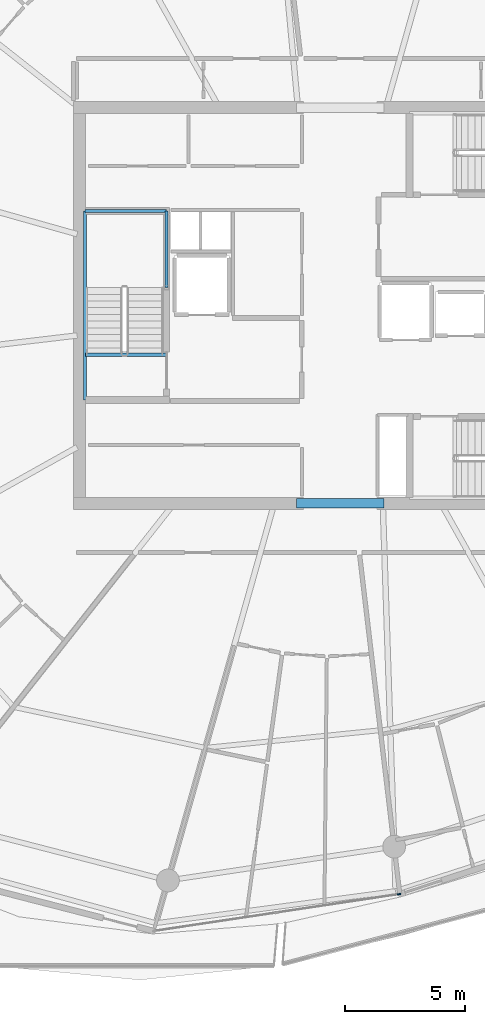
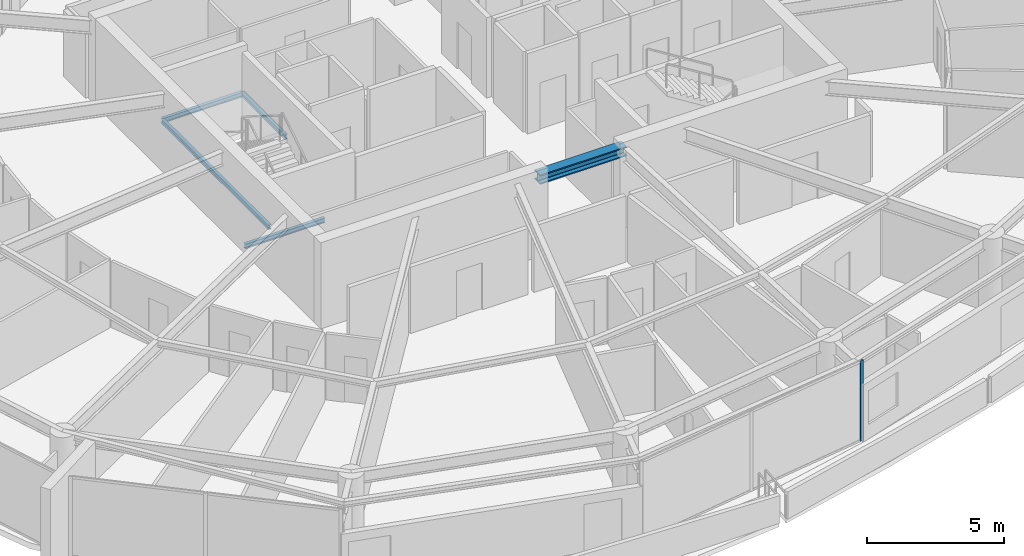
# One storey, part 9 of 30: 5 beams, 1 member, 1 element without a shape of its own.
"""IFC4 building model written with IfcOpenShell, lengths in metres."""

import ifcopenshell
import ifcopenshell.guid

model = None  # the IFC model being written
_history = None  # IfcOwnerHistory: only IFC2X3 demands one
_inside = {}  # id of a spatial element -> (the spatial element, [elements in it])
_under = {}  # id of a project, library or spatial element -> (it, [spatial elements below it])
_declared = {}  # id of a project -> (the project, [libraries it declares])
_typed = {}  # id of a type object -> (the type object, [elements of that type])
_made_of = {}  # id of a material, layer set ... -> (it, [elements and type objects made of it])


def new_model(schema):
    """Start an empty IFC model of exactly this schema.

    Asked for "IFC4X3", IfcOpenShell would pick the latest addendum, in which some entities
    have other attributes; the version numbers below select the first issue.
    IFC2X3 requires an IfcOwnerHistory on every rooted entity: one is made here for all.
    """
    global model, _history
    if schema == "IFC4X3":
        model = ifcopenshell.file(schema_version=(4, 3, 0, 0))
    else:
        model = ifcopenshell.file(schema=schema)
    _inside.clear()
    _under.clear()
    _declared.clear()
    _typed.clear()
    _made_of.clear()
    _history = None
    if model.schema == "IFC2X3":
        org = make("IfcOrganization", Name="unknown")
        user = make(
            "IfcPersonAndOrganization",
            ThePerson=make("IfcPerson", FamilyName="unknown"),
            TheOrganization=org,
        )
        app = make(
            "IfcApplication",
            ApplicationDeveloper=org,
            Version="unknown",
            ApplicationFullName="unknown",
            ApplicationIdentifier="unknown",
        )
        _history = make(
            "IfcOwnerHistory",
            OwningUser=user,
            OwningApplication=app,
            ChangeAction="ADDED",
            CreationDate=0,
        )
    return model


def make(cls, **values):
    """One entity of the class cls with the attributes given. An attribute that is None is left unset."""
    return model.create_entity(
        cls, **{name: value for name, value in values.items() if value is not None}
    )


def rooted(cls, **values):
    """An entity with a GlobalId (a new one), such as an element, a storey or a relation."""
    return make(cls, GlobalId=ifcopenshell.guid.new(), OwnerHistory=_history, **values)


def si_unit(unit_type, name, prefix=None):
    """IfcSIUnit, for example si_unit("LENGTHUNIT", "METRE", prefix="MILLI")."""
    return make("IfcSIUnit", UnitType=unit_type, Prefix=prefix, Name=name)


def assignment(units):
    """IfcUnitAssignment: the units of a project."""
    return None if units is None else make("IfcUnitAssignment", Units=units)


def point(xyz):
    """IfcCartesianPoint."""
    return None if xyz is None else make("IfcCartesianPoint", Coordinates=xyz)


def direction(xyz):
    """IfcDirection."""
    return None if xyz is None else make("IfcDirection", DirectionRatios=xyz)


def frame(location, z_axis=None, x_axis=None):
    """IfcAxis2Placement3D, a coordinate frame: its origin and axes. An axis left out is left unset."""
    return make(
        "IfcAxis2Placement3D",
        Location=point(location),
        Axis=direction(z_axis),
        RefDirection=direction(x_axis),
    )


def frame_2d(location, x_axis=None):
    """IfcAxis2Placement2D, a coordinate frame in the plane: its origin and x axis."""
    return make(
        "IfcAxis2Placement2D", Location=point(location), RefDirection=direction(x_axis)
    )


def origin():
    """The frame at (0, 0, 0) with its axes left unset."""
    return frame((0.0, 0.0, 0.0))


def origin_2d():
    """The frame at (0, 0) in the plane with its x axis left unset."""
    return frame_2d((0.0, 0.0))


def place(relative_to, where):
    """IfcLocalPlacement: puts the frame where relative to a parent placement (None: the world)."""
    return make(
        "IfcLocalPlacement", PlacementRelTo=relative_to, RelativePlacement=where
    )


def context(
    kind, dimensions, precision=None, world=None, true_north=None, identifier=None
):
    """IfcGeometricRepresentationContext, for example the 3D "Model" context."""
    return make(
        "IfcGeometricRepresentationContext",
        ContextIdentifier=identifier,
        ContextType=kind,
        CoordinateSpaceDimension=dimensions,
        Precision=precision,
        WorldCoordinateSystem=world,
        TrueNorth=true_north,
    )


def subcontext(parent, identifier, kind, view, scale=None):
    """IfcGeometricRepresentationSubContext, for example "Body" below "Model"."""
    return make(
        "IfcGeometricRepresentationSubContext",
        ContextIdentifier=identifier,
        ContextType=kind,
        ParentContext=parent,
        TargetScale=scale,
        TargetView=view,
    )


def project(units=None, contexts=None):
    """IfcProject with its units and contexts."""
    return rooted(
        "IfcProject",
        Name="project",
        RepresentationContexts=contexts,
        UnitsInContext=assignment(units),
    )


def spatial(cls, under=None, at=None, **own):
    """A site, building, storey or space (cls), placed at a placement, below another one or the project."""
    s = rooted(cls, ObjectPlacement=at, **own)
    if under is not None:
        _under.setdefault(under.id(), (under, []))[1].append(s)
    return s


def profile(cls, at=None, kind="AREA", **sizes):
    """A parametric profile (cls). Its sizes go by their IFC names, for example OverallWidth=200.0."""
    return make(cls, ProfileType=kind, Position=at, **sizes)


def rectangle(**sizes):
    """IfcRectangleProfileDef."""
    return profile("IfcRectangleProfileDef", **sizes)


def i_section(**sizes):
    """IfcIShapeProfileDef."""
    return profile("IfcIShapeProfileDef", **sizes)


def extrude(swept, where, along, depth):
    """IfcExtrudedAreaSolid: the profile swept, set in the frame where, extruded along a direction by depth."""
    return make(
        "IfcExtrudedAreaSolid",
        SweptArea=swept,
        Position=where,
        ExtrudedDirection=direction(along),
        Depth=depth,
    )


def shape(context_of_items, identifier, shape_type, items):
    """IfcShapeRepresentation: the items that make up one representation, for example the "Body"."""
    return make(
        "IfcShapeRepresentation",
        ContextOfItems=context_of_items,
        RepresentationIdentifier=identifier,
        RepresentationType=shape_type,
        Items=items,
    )


def material(Name=None, Category=None):
    """IfcMaterial."""
    return make("IfcMaterial", Name=Name, Category=Category)


def layer(
    of_material, thickness, ventilated=None, Name=None, Category=None, Priority=None
):
    """IfcMaterialLayer: one layer of a wall or slab, of a material (None: an air gap)."""
    return make(
        "IfcMaterialLayer",
        Material=of_material,
        LayerThickness=thickness,
        IsVentilated=ventilated,
        Name=Name,
        Category=Category,
        Priority=Priority,
    )


def layer_set(layers, Name=None):
    """IfcMaterialLayerSet."""
    return make("IfcMaterialLayerSet", MaterialLayers=layers, LayerSetName=Name)


def material_profile(
    of_material, cross_section, Name=None, Category=None, Priority=None
):
    """IfcMaterialProfile: a cross section and its material."""
    return make(
        "IfcMaterialProfile",
        Name=Name,
        Material=of_material,
        Profile=cross_section,
        Priority=Priority,
        Category=Category,
    )


def profile_set(profiles, Name=None, composite=None):
    """IfcMaterialProfileSet."""
    return make(
        "IfcMaterialProfileSet",
        Name=Name,
        MaterialProfiles=profiles,
        CompositeProfile=composite,
    )


def made_of(thing, what):
    """Note that an element or type object is made of a material, layer set ...; save() writes the relation."""
    if what is not None:
        _made_of.setdefault(what.id(), (what, []))[1].append(thing)
    return thing


def type_object(cls, material=None, **own):
    """A type object (cls), such as IfcWallType, which elements share."""
    return made_of(rooted(cls, **own), material)


def element(
    cls,
    number,
    at=None,
    inside=None,
    cuts=None,
    type_object=None,
    material=None,
    context=None,
    identifier="Body",
    shape_type=None,
    held_by="IfcProductDefinitionShape",
    body=None,
    shapes=None,
    **own,
):
    """One element of the class cls, such as IfcWall. Its Tag is "e" and its number.

    at: its placement. inside: the storey or other place that contains it. cuts: it is an
    opening in that element (IfcRelVoidsElement). A single representation is given by context,
    identifier, shape_type and body (its items); several are given by shapes. held_by: the class
    of the entity that holds the representations. save() writes the other relations.
    """
    e = rooted(cls, Tag="e%d" % number, ObjectPlacement=at, **own)
    if body is not None:
        shapes = [shape(context, identifier, shape_type, body)]
    if shapes is not None:
        e.Representation = make(held_by, Representations=shapes)
    if inside is not None:
        _inside.setdefault(inside.id(), (inside, []))[1].append(e)
    if cuts is not None:
        rooted(
            "IfcRelVoidsElement", RelatingBuildingElement=cuts, RelatedOpeningElement=e
        )
    if type_object is not None:
        _typed.setdefault(type_object.id(), (type_object, []))[1].append(e)
    return made_of(e, material)


def aggregate(whole, parts):
    """IfcRelAggregates: a whole, such as a stair, and the parts it consists of."""
    return rooted("IfcRelAggregates", RelatingObject=whole, RelatedObjects=parts)


def save(model, path):
    """Write the relations noted so far, then the file.

    IfcRelAggregates (storeys below a building ...), IfcRelContainedInSpatialStructure (elements
    in a storey), IfcRelDefinesByType, IfcRelAssociatesMaterial and IfcRelDeclares: one each for
    every whole, place, type object, material and project.
    """
    for whole, parts in _under.values():
        aggregate(whole, parts)
    for where, things in _inside.values():
        rooted(
            "IfcRelContainedInSpatialStructure",
            RelatedElements=things,
            RelatingStructure=where,
        )
    for kind, things in _typed.values():
        rooted("IfcRelDefinesByType", RelatedObjects=things, RelatingType=kind)
    for what, things in _made_of.values():
        rooted("IfcRelAssociatesMaterial", RelatedObjects=things, RelatingMaterial=what)
    for by, libraries in _declared.values():
        rooted("IfcRelDeclares", RelatingContext=by, RelatedDefinitions=libraries)
    model.write(path)


model = new_model("IFC4")

# Units and contexts
model_context = context("Model", 3, precision=1e-05, world=origin(), true_north=direction((0.0, 1.0)))
body_context = subcontext(model_context, "Body", "Model", "MODEL_VIEW")
ifc_project = project(units=[si_unit("LENGTHUNIT", "METRE"), si_unit("AREAUNIT", "SQUARE_METRE"), si_unit("VOLUMEUNIT", "CUBIC_METRE"), si_unit("PLANEANGLEUNIT", "RADIAN"), si_unit("MASSUNIT", "GRAM", prefix="KILO")], contexts=[model_context])

# Site, building, storey
site_placement = place(None, origin())
site = spatial("IfcSite", under=ifc_project, at=site_placement, CompositionType="ELEMENT")
building_placement = place(site_placement, origin())
building = spatial("IfcBuilding", under=site, at=building_placement, Name="Kazma Halo Residences", CompositionType="ELEMENT")
storey_placement = place(building_placement, frame((0.0, 0.0, 279.050048828125)))
storey = spatial("IfcBuildingStorey", under=building, at=storey_placement, Name="L70", CompositionType="ELEMENT", Elevation=279.050048828125)

# Beams
ifc_material_1 = material(Name="Steel S355", Category="steel")
ifc_material_profile_1 = material_profile(ifc_material_1, i_section(OverallWidth=0.408935546875, OverallDepth=0.425048828125, WebThickness=0.03271484375, FlangeThickness=0.052490234375, FilletRadius=0.02001953125, at=origin_2d()), Name="W360x421")
ifc_profile_set_1 = profile_set([ifc_material_profile_1], Name="Steel S355")
beam_type_1 = type_object("IfcBeamType", Name="BM-CORE-W360H", PredefinedType="BEAM", material=ifc_profile_set_1)
beam_1_placement = place(storey_placement, frame((46.60009765625, 33.75, 3.37744140625), z_axis=(1.0, 0.0, 0.0), x_axis=(0.0, 1.0, 0.0)))
element("IfcBeam", 1, at=beam_1_placement, inside=storey, type_object=beam_type_1, Name="L70 core coupling beam S", PredefinedType="BEAM", context=body_context, shape_type="SweptSolid", body=[
    extrude(i_section(OverallWidth=0.408935546875, OverallDepth=0.425048828125, WebThickness=0.03271484375, FlangeThickness=0.052490234375, FilletRadius=0.02001953125, at=origin_2d()), origin(), (0.0, 0.0, 1.0), 3.64990234375),
])
ifc_material_profile_2 = material_profile(ifc_material_1, i_section(OverallWidth=0.133056640625, OverallDepth=0.20703125, WebThickness=0.005859375, FlangeThickness=0.00830078125, FilletRadius=0.010009765625, at=origin_2d()), Name="W200x26.6")
ifc_profile_set_2 = profile_set([ifc_material_profile_2], Name="Steel S355")
beam_type_2 = type_object("IfcBeamType", Name="BM-TRIM-W200", PredefinedType="BEAM", material=ifc_profile_set_2)
beam_2_placement = place(storey_placement, frame((37.800048828125, 39.949951171875, -0.3701171875), z_axis=(1.0, 0.0, 0.0), x_axis=(0.0, 1.0, 0.0)))
element("IfcBeam", 2, at=beam_2_placement, inside=storey, type_object=beam_type_2, Name="L70 ST-01 floor landing support beam", PredefinedType="BEAM", context=body_context, shape_type="SweptSolid", body=[
    extrude(i_section(OverallWidth=0.133056640625, OverallDepth=0.20703125, WebThickness=0.005859375, FlangeThickness=0.00830078125, FilletRadius=0.010009765625, at=origin_2d()), origin(), (0.0, 0.0, 1.0), 3.3798828125),
])
beam_3_placement = place(storey_placement, frame((37.780029296875, 38.06005859375, 1.619873046875), z_axis=(0.0, 1.0, 0.0), x_axis=(-1.0, 0.0, 0.0)))
element("IfcBeam", 3, at=beam_3_placement, inside=storey, type_object=beam_type_2, Name="L70 ST-01 landing west wall ledger", PredefinedType="BEAM", context=body_context, shape_type="SweptSolid", body=[
    extrude(i_section(OverallWidth=0.133056640625, OverallDepth=0.20703125, WebThickness=0.005859375, FlangeThickness=0.00830078125, FilletRadius=0.010009765625, at=origin_2d()), origin(), (0.0, 0.0, 1.0), 7.8798828125),
])
beam_4_placement = place(storey_placement, frame((41.179931640625, 42.75, 1.619873046875), z_axis=(0.0, 1.0, 0.0), x_axis=(-1.0, 0.0, 0.0)))
element("IfcBeam", 4, at=beam_4_placement, inside=storey, type_object=beam_type_2, Name="L70 ST-01 landing east wall ledger", PredefinedType="BEAM", context=body_context, shape_type="SweptSolid", body=[
    extrude(i_section(OverallWidth=0.133056640625, OverallDepth=0.20703125, WebThickness=0.005859375, FlangeThickness=0.00830078125, FilletRadius=0.010009765625, at=origin_2d()), origin(), (0.0, 0.0, 1.0), 3.18994140625),
])
beam_5_placement = place(storey_placement, frame((37.780029296875, 45.93994140625, 1.619873046875), z_axis=(1.0, 0.0, 0.0), x_axis=(0.0, 1.0, 0.0)))
element("IfcBeam", 5, at=beam_5_placement, inside=storey, type_object=beam_type_2, Name="L70 ST-01 landing end wall ledger", PredefinedType="BEAM", context=body_context, shape_type="SweptSolid", body=[
    extrude(i_section(OverallWidth=0.133056640625, OverallDepth=0.20703125, WebThickness=0.005859375, FlangeThickness=0.00830078125, FilletRadius=0.010009765625, at=origin_2d()), origin(), (0.0, 0.0, 1.0), 3.39990234375),
])

# Curtain wall, member
ifc_material_2 = material(Name="Aluminium AW-6063 T6 and Triple-Silver Low-E Glass", Category="aluminium")
ifc_layer = layer(ifc_material_2, 0.139892578125)
ifc_layer_set = layer_set([ifc_layer], Name="Aluminium AW-6063 T6 and Triple-Silver Low-E Glass")
curtain_wall_type = type_object("IfcCurtainWallType", Name="CW-SYS-5", PredefinedType="NOTDEFINED", material=ifc_layer_set)
curtain_wall_placement = place(storey_placement, origin())
curtain_wall = element("IfcCurtainWall", 6, at=curtain_wall_placement, inside=storey, type_object=curtain_wall_type, Name="L70 unitised curtain wall B11", PredefinedType="NOTDEFINED")
ifc_material_3 = material(Name="Aluminium AW-6063 T6", Category="aluminium")
ifc_material_profile_3 = material_profile(ifc_material_3, rectangle(XDim=0.06005859375, YDim=0.139892578125, at=origin_2d()), Name="CWM-60x140")
ifc_profile_set_3 = profile_set([ifc_material_profile_3], Name="Aluminium AW-6063 T6")
member_type = type_object("IfcMemberType", Name="CW-SYS-5-MUL", PredefinedType="MULLION", material=ifc_profile_set_3)
member_placement = place(storey_placement, frame((50.875732421875, 17.447265625, 0.0), z_axis=(0.0, 0.0, 1.0), x_axis=(-0.148697080374, 0.988882792998, 0.0)))
member = element("IfcMember", 7, at=member_placement, type_object=member_type, Name="CWS-5 mullion 3", PredefinedType="MULLION", context=body_context, shape_type="SweptSolid", body=[
    extrude(rectangle(XDim=0.06005859375, YDim=0.139892578125, at=origin_2d()), origin(), (0.0, 0.0, 1.0), 3.58984375),
])
aggregate(curtain_wall, [member])

save(model, "model.ifc")
